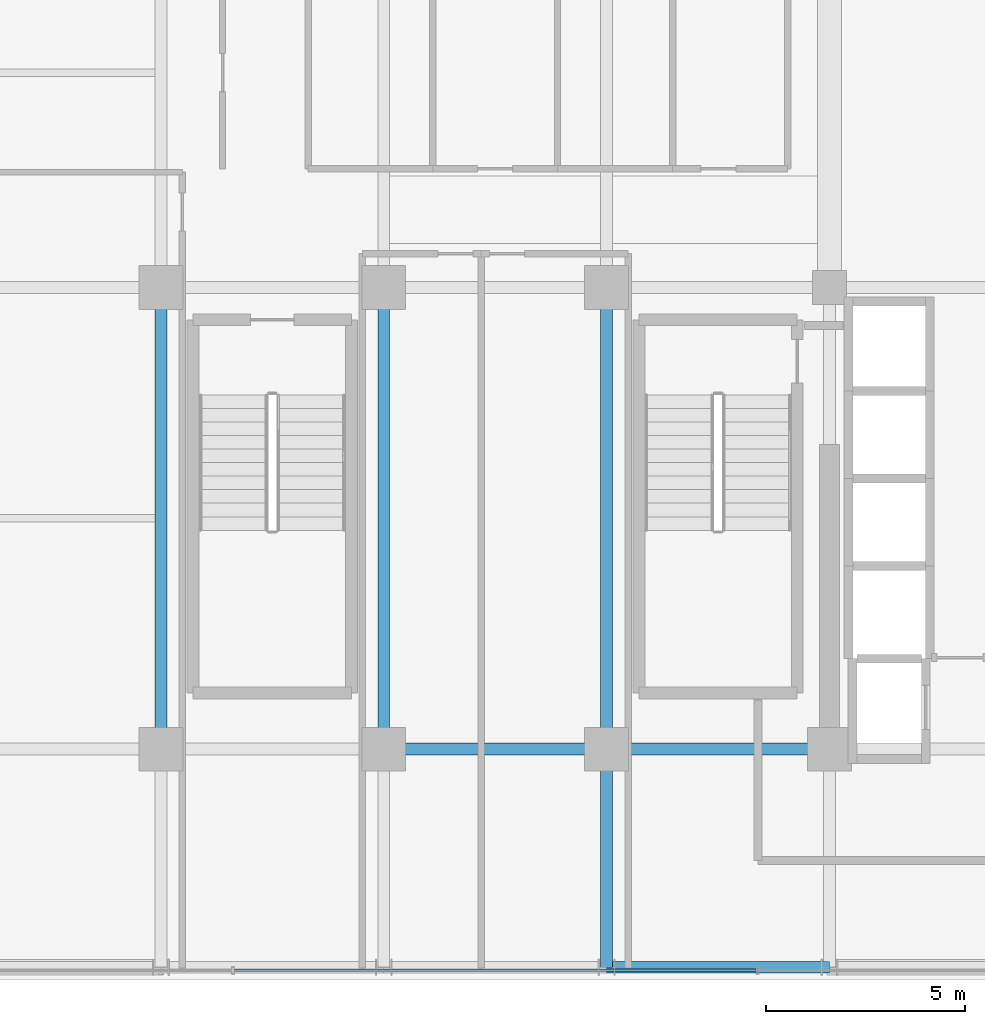
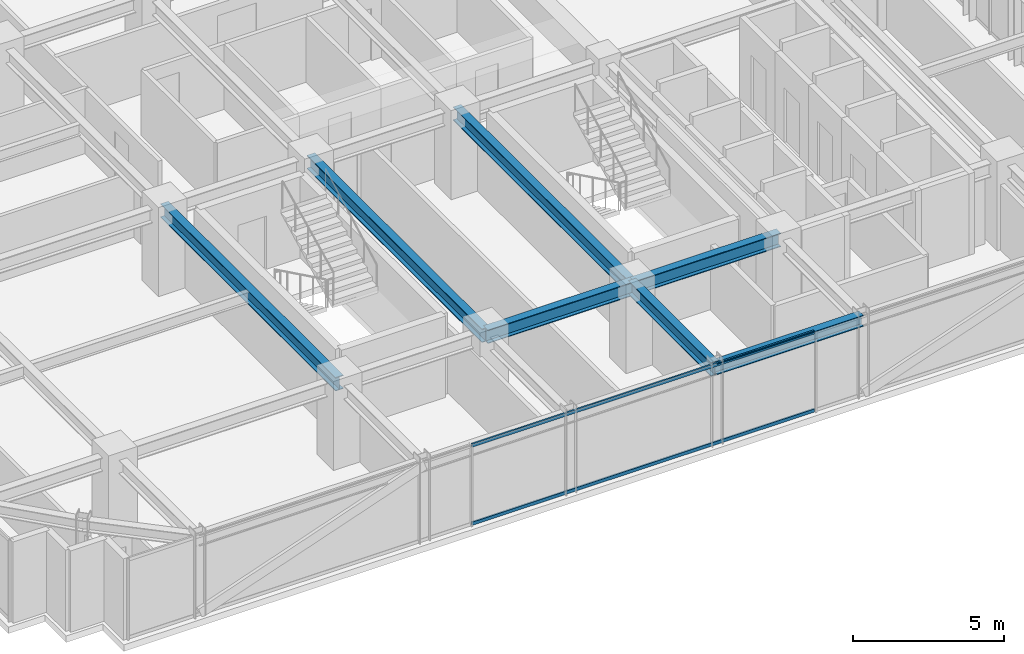
# One storey, part 5 of 32: 7 beams, 2 members, 1 element without a shape of its own.
"""IFC4 building model written with IfcOpenShell, lengths in metres."""

from ifc_helpers import new_model, si_unit, direction, frame, origin, origin_2d, place, context, subcontext, project, spatial, hollow_rectangle, i_section, extrude, source, transform, mapped, material, material_profile, profile_set, type_object, element, aggregate, save


model = new_model("IFC4")

# Units and contexts
model_context = context("Model", 3, precision=1e-05, world=origin(), true_north=direction((0.0, 1.0)))
body_context = subcontext(model_context, "Body", "Model", "MODEL_VIEW")
ifc_project = project(units=[si_unit("LENGTHUNIT", "METRE"), si_unit("AREAUNIT", "SQUARE_METRE"), si_unit("VOLUMEUNIT", "CUBIC_METRE"), si_unit("PLANEANGLEUNIT", "RADIAN"), si_unit("MASSUNIT", "GRAM", prefix="KILO")], contexts=[model_context])

# Site, building, storey
site_placement = place(None, origin())
site = spatial("IfcSite", under=ifc_project, at=site_placement, CompositionType="ELEMENT")
building_placement = place(site_placement, origin())
building = spatial("IfcBuilding", under=site, at=building_placement, Name="Nahalor Promenade Grand Hotel", CompositionType="ELEMENT")
storey_placement = place(building_placement, frame((0.0, 0.0, 196.449951171875)))
storey = spatial("IfcBuildingStorey", under=building, at=storey_placement, Name="L50", CompositionType="ELEMENT", Elevation=196.449951171875)

# Beams
ifc_material_1 = material(Name="Steel S355JR", Category="steel")
ifc_material_profile_1 = material_profile(ifc_material_1, i_section(OverallWidth=0.3, OverallDepth=0.55, WebThickness=0.015, FlangeThickness=0.029, at=origin_2d()), Name="HEB 550")
ifc_profile_set_1 = profile_set([ifc_material_profile_1], Name="Steel S355JR")
beam_type_1 = type_object("IfcBeamType", Name="Beam-Girder-HEB550", PredefinedType="BEAM", material=ifc_profile_set_1)
shared_shape_1 = source(origin(), body_context, "Body", "SweptSolid", [
    extrude(i_section(OverallWidth=0.3, OverallDepth=0.55, WebThickness=0.015, FlangeThickness=0.029, at=origin_2d()), origin(), (0.0, 0.0, 1.0), 5.599853515625),
])
beam_1_placement = place(storey_placement, frame((2.800048828125, -17.0, 3.01513671875), z_axis=(1.0, 0.0, 0.0), x_axis=(0.0, 1.0, 0.0)))
element("IfcBeam", 1, at=beam_1_placement, inside=storey, type_object=beam_type_1, Name="BM-L50-GX-0-4", PredefinedType="BEAM", context=body_context, shape_type="MappedRepresentation", body=[
    mapped(shared_shape_1, transform((0.0, 0.0, 0.0), scale=1.0)),
])
shared_shape_2 = source(origin(), body_context, "Body", "SweptSolid", [
    extrude(i_section(OverallWidth=0.3, OverallDepth=0.55, WebThickness=0.015, FlangeThickness=0.029, at=origin_2d()), origin(), (0.0, 0.0, 1.0), 5.60009765625),
])
beam_2_placement = place(storey_placement, frame((-2.800048828125, -17.0, 3.01513671875), z_axis=(1.0, 0.0, 0.0), x_axis=(0.0, 1.0, 0.0)))
element("IfcBeam", 2, at=beam_2_placement, inside=storey, type_object=beam_type_1, Name="BM-L50-GX-0-3", PredefinedType="BEAM", context=body_context, shape_type="MappedRepresentation", body=[
    mapped(shared_shape_2, transform((0.0, 0.0, 0.0), scale=1.0)),
])
shared_shape_3 = source(origin(), body_context, "Body", "SweptSolid", [
    extrude(i_section(OverallWidth=0.3, OverallDepth=0.55, WebThickness=0.015, FlangeThickness=0.029, at=origin_2d()), origin(), (0.0, 0.0, 1.0), 11.60009765625),
])
for number, where, z_axis, x_axis, name in (
    (3, (-8.39990234375, -17.0, 3.01513671875), (0.0, 1.0, 0.0), (-1.0, 0.0, 0.0), "BM-L50-GY-1-1"),
    (4, (-2.800048828125, -17.0, 3.01513671875), (0.0, 1.0, 0.0), (-1.0, 0.0, 0.0), "BM-L50-GY-2-1"),
    (5, (2.800048828125, -17.0, 3.01513671875), (0.0, 1.0, 0.0), (-1.0, 0.0, 0.0), "BM-L50-GY-3-1"),
):
    element("IfcBeam", number, at=place(storey_placement, frame(where, z_axis=z_axis, x_axis=x_axis)), inside=storey, type_object=beam_type_1, Name=name, PredefinedType="BEAM", context=body_context, shape_type="MappedRepresentation", body=[
        mapped(shared_shape_3, transform((0.0, 0.0, 0.0), scale=1.0)),
    ])
shared_shape_4 = source(origin(), body_context, "Body", "SweptSolid", [
    extrude(i_section(OverallWidth=0.3, OverallDepth=0.55, WebThickness=0.015, FlangeThickness=0.029, at=origin_2d()), origin(), (0.0, 0.0, 1.0), 5.47998046875),
])
beam_3_placement = place(storey_placement, frame((2.800048828125, -22.47998046875, 3.01513671875), z_axis=(0.0, 1.0, 0.0), x_axis=(-1.0, 0.0, 0.0)))
element("IfcBeam", 6, at=beam_3_placement, inside=storey, type_object=beam_type_1, Name="BM-L50-GY-3-0", PredefinedType="BEAM", context=body_context, shape_type="MappedRepresentation", body=[
    mapped(shared_shape_4, transform((0.0, 0.0, 0.0), scale=1.0)),
])
ifc_material_profile_2 = material_profile(ifc_material_1, i_section(OverallWidth=0.3, OverallDepth=0.45, WebThickness=0.014, FlangeThickness=0.026, at=origin_2d()), Name="HEB 450")
ifc_profile_set_2 = profile_set([ifc_material_profile_2], Name="Steel S355JR")
beam_type_2 = type_object("IfcBeamType", Name="Beam-Spandrel-HEB450", PredefinedType="SPANDREL", material=ifc_profile_set_2)
shared_shape_5 = source(origin(), body_context, "Body", "SweptSolid", [
    extrude(i_section(OverallWidth=0.3, OverallDepth=0.45, WebThickness=0.014, FlangeThickness=0.026, at=origin_2d()), origin(), (0.0, 0.0, 1.0), 5.599853515625),
])
beam_4_placement = place(storey_placement, frame((2.800048828125, -22.47998046875, 3.06494140625), z_axis=(1.0, 0.0, 0.0), x_axis=(0.0, 1.0, 0.0)))
element("IfcBeam", 7, at=beam_4_placement, inside=storey, type_object=beam_type_2, Name="BM-L50-SP-S-3", PredefinedType="SPANDREL", context=body_context, shape_type="MappedRepresentation", body=[
    mapped(shared_shape_5, transform((0.0, 0.0, 0.0), scale=1.0)),
])

# Curtain wall, members
ifc_material_2 = material(Name="Anodised Bronze Aluminium EN AW-6063 T6", Category="aluminium")
curtain_wall_type = type_object("IfcCurtainWallType", Name="CW2 Typical Hotel Flush Bronze Unitised Curtain Wall", PredefinedType="USERDEFINED", material=ifc_material_2)
curtain_wall_placement = place(storey_placement, origin())
curtain_wall = element("IfcCurtainWall", 8, at=curtain_wall_placement, inside=storey, type_object=curtain_wall_type, Name="L50 Curtain Wall CW-L50-S-1", ObjectType="UNITISED_CURTAIN_WALL", PredefinedType="USERDEFINED")
ifc_material_profile_3 = material_profile(ifc_material_2, hollow_rectangle(XDim=0.065, YDim=0.13, WallThickness=0.004, at=origin_2d()), Name="CWT 65x130x4")
ifc_profile_set_3 = profile_set([ifc_material_profile_3], Name="Anodised Bronze Aluminium EN AW-6063 T6")
member_type = type_object("IfcMemberType", Name="CWT2 Typical Bronze Transom 65x130", PredefinedType="USERDEFINED", material=ifc_profile_set_3)
shared_shape_6 = source(origin(), body_context, "Body", "SweptSolid", [
    extrude(hollow_rectangle(XDim=0.065, YDim=0.13, WallThickness=0.004, at=origin_2d()), origin(), (0.0, 0.0, 1.0), 13.1083984375),
])
member_1_placement = place(storey_placement, frame((-6.55419921875, -22.56005859375, 0.06494140625), z_axis=(1.0, 0.0, 0.0), x_axis=(0.0, 1.0, 0.0)))
member_1 = element("IfcMember", 9, at=member_1_placement, type_object=member_type, Name="CW-L50-S-1 Transom 1-0", ObjectType="TRANSOM", PredefinedType="USERDEFINED", context=body_context, shape_type="MappedRepresentation", body=[
    mapped(shared_shape_6, transform((0.0, 0.0, 0.0), scale=1.0)),
])
member_2_placement = place(storey_placement, frame((-6.55419921875, -22.56005859375, 3.22509765625), z_axis=(1.0, 0.0, 0.0), x_axis=(0.0, 1.0, 0.0)))
member_2 = element("IfcMember", 10, at=member_2_placement, type_object=member_type, Name="CW-L50-S-1 Transom 1-1", ObjectType="TRANSOM", PredefinedType="USERDEFINED", context=body_context, shape_type="MappedRepresentation", body=[
    mapped(shared_shape_6, transform((0.0, 0.0, 0.0), scale=1.0)),
])
aggregate(curtain_wall, [member_1, member_2])

save(model, "model.ifc")
